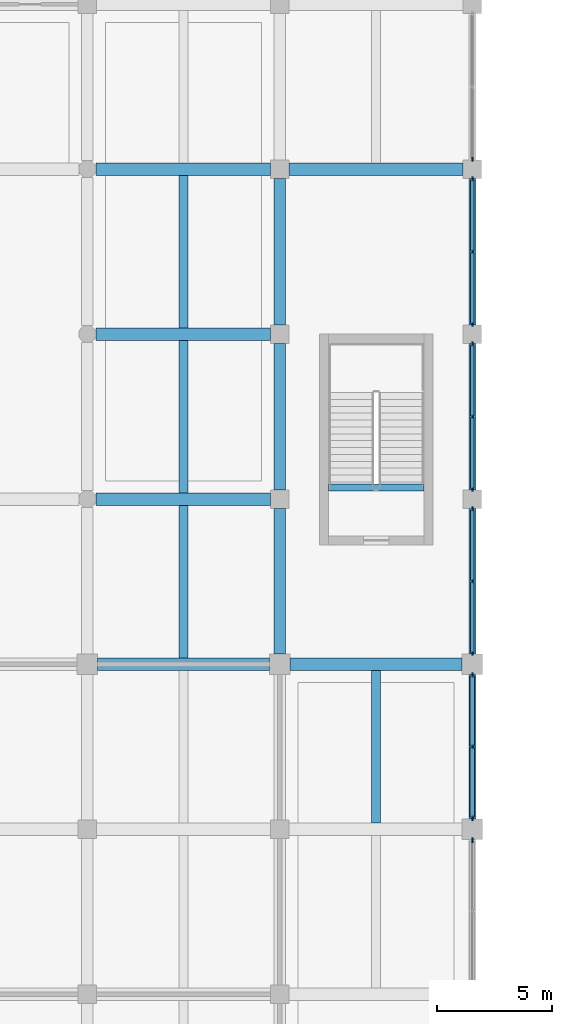
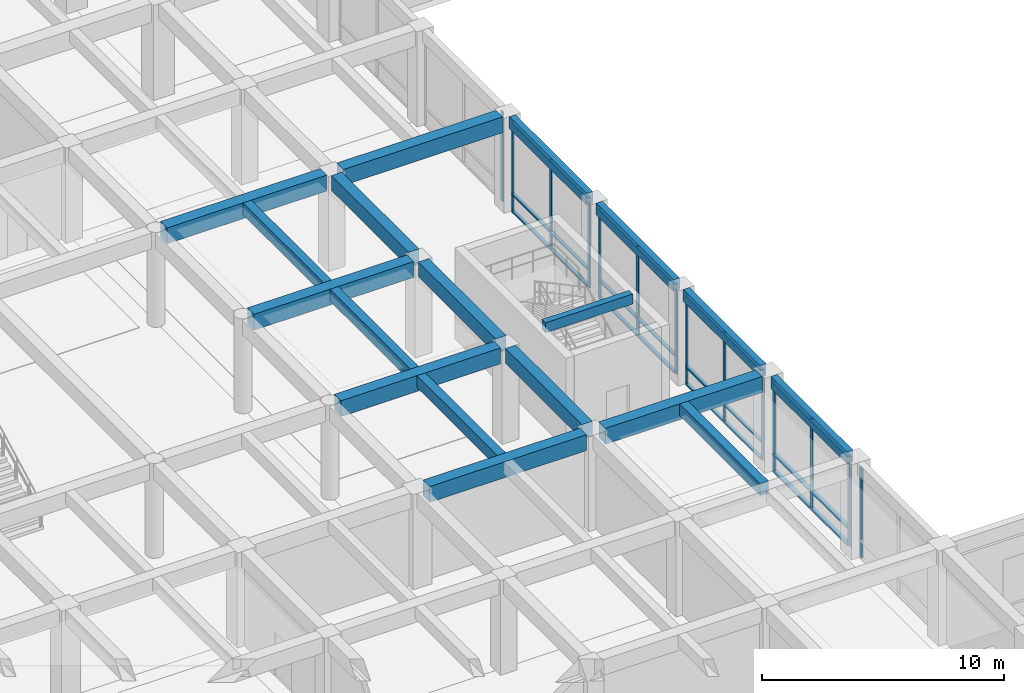
# One storey, part 11 of 49: 38 members, 18 beams, 6 elements without a shape of their own.
"""IFC4 building model written with IfcOpenShell, lengths in metres."""

from ifc_helpers import new_model, si_unit, direction, frame, origin, origin_2d, place, context, subcontext, project, spatial, rectangle, extrude, material, material_profile, profile_set, type_object, element, aggregate, save


model = new_model("IFC4")

# Units and contexts
model_context = context("Model", 3, precision=1e-05, world=origin(), true_north=direction((0.0, 1.0)))
body_context = subcontext(model_context, "Body", "Model", "MODEL_VIEW")
ifc_project = project(units=[si_unit("LENGTHUNIT", "METRE"), si_unit("AREAUNIT", "SQUARE_METRE"), si_unit("VOLUMEUNIT", "CUBIC_METRE"), si_unit("PLANEANGLEUNIT", "RADIAN"), si_unit("MASSUNIT", "GRAM", prefix="KILO")], contexts=[model_context])

# Site, building, storey
site_placement = place(None, origin())
site = spatial("IfcSite", under=ifc_project, at=site_placement, CompositionType="ELEMENT")
building_placement = place(site_placement, origin())
building = spatial("IfcBuilding", under=site, at=building_placement, Name="Kenerak Square Central Library", CompositionType="ELEMENT")
storey_placement = place(building_placement, origin())
storey = spatial("IfcBuildingStorey", under=building, at=storey_placement, Name="L00", CompositionType="ELEMENT", Elevation=0.0)

# Beams
ifc_material_1 = material(Name="Concrete C40/50", Category="concrete")
ifc_material_profile_1 = material_profile(ifc_material_1, rectangle(XDim=0.300048828125, YDim=0.60009765625, at=origin_2d()), Name="RC 300x600")
ifc_profile_set_1 = profile_set([ifc_material_profile_1], Name="Concrete C40/50")
beam_type_1 = type_object("IfcBeamType", Name="Courtyard Spandrel Beam SP-02 RC 300x600 C40/50", PredefinedType="SPANDREL", material=ifc_profile_set_1)
beam_1_placement = place(storey_placement, frame((117.199951171875, 46.050048828125, 4.5), z_axis=(0.0, 1.0, 0.0), x_axis=(-1.0, 0.0, 0.0)))
element("IfcBeam", 1, at=beam_1_placement, inside=storey, type_object=beam_type_1, Name="Beam SP-02 L00 0707", PredefinedType="SPANDREL", context=body_context, shape_type="SweptSolid", body=[
    extrude(rectangle(XDim=0.300048828125, YDim=0.60009765625, at=origin_2d()), origin(), (0.0, 0.0, 1.0), 6.300048828125),
])
beam_2_placement = place(storey_placement, frame((117.199951171875, 53.25, 4.5), z_axis=(0.0, 1.0, 0.0), x_axis=(-1.0, 0.0, 0.0)))
element("IfcBeam", 2, at=beam_2_placement, inside=storey, type_object=beam_type_1, Name="Beam SP-02 L00 0708", PredefinedType="SPANDREL", context=body_context, shape_type="SweptSolid", body=[
    extrude(rectangle(XDim=0.300048828125, YDim=0.60009765625, at=origin_2d()), origin(), (0.0, 0.0, 1.0), 6.35009765625),
])
beam_3_placement = place(storey_placement, frame((117.199951171875, 60.39990234375, 4.5), z_axis=(0.0, 1.0, 0.0), x_axis=(-1.0, 0.0, 0.0)))
element("IfcBeam", 3, at=beam_3_placement, inside=storey, type_object=beam_type_1, Name="Beam SP-02 L00 0709", PredefinedType="SPANDREL", context=body_context, shape_type="SweptSolid", body=[
    extrude(rectangle(XDim=0.300048828125, YDim=0.60009765625, at=origin_2d()), origin(), (0.0, 0.0, 1.0), 6.400146484375),
])
beam_4_placement = place(storey_placement, frame((117.199951171875, 67.60009765625, 4.5), z_axis=(0.0, 1.0, 0.0), x_axis=(-1.0, 0.0, 0.0)))
element("IfcBeam", 4, at=beam_4_placement, inside=storey, type_object=beam_type_1, Name="Beam SP-02 L00 0710", PredefinedType="SPANDREL", context=body_context, shape_type="SweptSolid", body=[
    extrude(rectangle(XDim=0.300048828125, YDim=0.60009765625, at=origin_2d()), origin(), (0.0, 0.0, 1.0), 6.39990234375),
])

# Curtain wall, member
ifc_material_2 = material(Name="Anodised aluminium and solar-control low-E glazing", Category="aluminium")
curtain_wall_type_1 = type_object("IfcCurtainWallType", Name="Curtain Wall CW-V4-64x45 6400x4525", PredefinedType="USERDEFINED", material=ifc_material_2)
curtain_wall_1_placement = place(storey_placement, origin())
curtain_wall_1 = element("IfcCurtainWall", 5, at=curtain_wall_1_placement, inside=storey, type_object=curtain_wall_type_1, Name="Curtain Wall CW-V4-64x45 L00 0008", ObjectType="CURTAIN WALL", PredefinedType="USERDEFINED")
ifc_material_3 = material(Name="Anodised aluminium 6063-T6", Category="aluminium")
ifc_material_profile_2 = material_profile(ifc_material_3, rectangle(XDim=0.06494140625, YDim=0.179931640625, at=origin_2d()), Name="AL MULLION 65x180")
ifc_profile_set_2 = profile_set([ifc_material_profile_2], Name="Anodised aluminium 6063-T6")
member_type_1 = type_object("IfcMemberType", Name="Curtain Mullion CM-01 65x180", PredefinedType="MULLION", material=ifc_profile_set_2)
member_1_placement = place(storey_placement, frame((117.199951171875, 74.83251953125, 0.0), z_axis=(0.0, 0.0, 1.0), x_axis=(1.0, 0.0, 0.0)))
member_1 = element("IfcMember", 6, at=member_1_placement, type_object=member_type_1, Name="CW-V4-64x45 Mullion 3", PredefinedType="MULLION", context=body_context, shape_type="SweptSolid", body=[
    extrude(rectangle(XDim=0.06494140625, YDim=0.179931640625, at=origin_2d()), origin(), (0.0, 0.0, 1.0), 4.52490234375),
])
aggregate(curtain_wall_1, [member_1])

# Curtain wall, members
curtain_wall_2_placement = place(storey_placement, origin())
curtain_wall_2 = element("IfcCurtainWall", 7, at=curtain_wall_2_placement, inside=storey, type_object=curtain_wall_type_1, Name="Curtain Wall CW-V4-64x45 L00 0009", ObjectType="CURTAIN WALL", PredefinedType="USERDEFINED")
member_2_placement = place(storey_placement, frame((117.199951171875, 73.967529296875, 0.0), z_axis=(0.0, 0.0, 1.0), x_axis=(1.0, 0.0, 0.0)))
member_2 = element("IfcMember", 8, at=member_2_placement, type_object=member_type_1, Name="CW-V4-64x45 Mullion 1", PredefinedType="MULLION", context=body_context, shape_type="SweptSolid", body=[
    extrude(rectangle(XDim=0.06494140625, YDim=0.179931640625, at=origin_2d()), origin(), (0.0, 0.0, 1.0), 4.52490234375),
])
member_3_placement = place(storey_placement, frame((117.199951171875, 70.800048828125, 0.0), z_axis=(0.0, 0.0, 1.0), x_axis=(1.0, 0.0, 0.0)))
member_3 = element("IfcMember", 9, at=member_3_placement, type_object=member_type_1, Name="CW-V4-64x45 Mullion 2", PredefinedType="MULLION", context=body_context, shape_type="SweptSolid", body=[
    extrude(rectangle(XDim=0.06494140625, YDim=0.179931640625, at=origin_2d()), origin(), (0.0, 0.0, 1.0), 4.52490234375),
])
member_4_placement = place(storey_placement, frame((117.199951171875, 67.632568359375, 0.0), z_axis=(0.0, 0.0, 1.0), x_axis=(1.0, 0.0, 0.0)))
member_4 = element("IfcMember", 10, at=member_4_placement, type_object=member_type_1, Name="CW-V4-64x45 Mullion 3", PredefinedType="MULLION", context=body_context, shape_type="SweptSolid", body=[
    extrude(rectangle(XDim=0.06494140625, YDim=0.179931640625, at=origin_2d()), origin(), (0.0, 0.0, 1.0), 4.52490234375),
])

curtain_wall_3_placement = place(storey_placement, origin())
curtain_wall_3 = element("IfcCurtainWall", 11, at=curtain_wall_3_placement, inside=storey, type_object=curtain_wall_type_1, Name="Curtain Wall CW-V4-64x45 L00 0010", ObjectType="CURTAIN WALL", PredefinedType="USERDEFINED")
member_5_placement = place(storey_placement, frame((117.199951171875, 66.767578125, 0.0), z_axis=(0.0, 0.0, 1.0), x_axis=(1.0, 0.0, 0.0)))
member_5 = element("IfcMember", 12, at=member_5_placement, type_object=member_type_1, Name="CW-V4-64x45 Mullion 1", PredefinedType="MULLION", context=body_context, shape_type="SweptSolid", body=[
    extrude(rectangle(XDim=0.06494140625, YDim=0.179931640625, at=origin_2d()), origin(), (0.0, 0.0, 1.0), 4.52490234375),
])
member_6_placement = place(storey_placement, frame((117.199951171875, 63.60009765625, 0.0), z_axis=(0.0, 0.0, 1.0), x_axis=(1.0, 0.0, 0.0)))
member_6 = element("IfcMember", 13, at=member_6_placement, type_object=member_type_1, Name="CW-V4-64x45 Mullion 2", PredefinedType="MULLION", context=body_context, shape_type="SweptSolid", body=[
    extrude(rectangle(XDim=0.06494140625, YDim=0.179931640625, at=origin_2d()), origin(), (0.0, 0.0, 1.0), 4.52490234375),
])
member_7_placement = place(storey_placement, frame((117.199951171875, 60.4326171875, 0.0), z_axis=(0.0, 0.0, 1.0), x_axis=(1.0, 0.0, 0.0)))
member_7 = element("IfcMember", 14, at=member_7_placement, type_object=member_type_1, Name="CW-V4-64x45 Mullion 3", PredefinedType="MULLION", context=body_context, shape_type="SweptSolid", body=[
    extrude(rectangle(XDim=0.06494140625, YDim=0.179931640625, at=origin_2d()), origin(), (0.0, 0.0, 1.0), 4.52490234375),
])

curtain_wall_type_2 = type_object("IfcCurtainWallType", Name="Curtain Wall CW-V4-63x45 6350x4525", PredefinedType="USERDEFINED", material=ifc_material_2)
curtain_wall_4_placement = place(storey_placement, origin())
curtain_wall_4 = element("IfcCurtainWall", 15, at=curtain_wall_4_placement, inside=storey, type_object=curtain_wall_type_2, Name="Curtain Wall CW-V4-63x45 L00 0011", ObjectType="CURTAIN WALL", PredefinedType="USERDEFINED")
member_8_placement = place(storey_placement, frame((117.199951171875, 59.5673828125, 0.0), z_axis=(0.0, 0.0, 1.0), x_axis=(1.0, 0.0, 0.0)))
member_8 = element("IfcMember", 16, at=member_8_placement, type_object=member_type_1, Name="CW-V4-63x45 Mullion 1", PredefinedType="MULLION", context=body_context, shape_type="SweptSolid", body=[
    extrude(rectangle(XDim=0.06494140625, YDim=0.179931640625, at=origin_2d()), origin(), (0.0, 0.0, 1.0), 4.52490234375),
])
member_9_placement = place(storey_placement, frame((117.199951171875, 56.425048828125, 0.0), z_axis=(0.0, 0.0, 1.0), x_axis=(1.0, 0.0, 0.0)))
member_9 = element("IfcMember", 17, at=member_9_placement, type_object=member_type_1, Name="CW-V4-63x45 Mullion 2", PredefinedType="MULLION", context=body_context, shape_type="SweptSolid", body=[
    extrude(rectangle(XDim=0.06494140625, YDim=0.179931640625, at=origin_2d()), origin(), (0.0, 0.0, 1.0), 4.52490234375),
])
member_10_placement = place(storey_placement, frame((117.199951171875, 53.282470703125, 0.0), z_axis=(0.0, 0.0, 1.0), x_axis=(1.0, 0.0, 0.0)))
member_10 = element("IfcMember", 18, at=member_10_placement, type_object=member_type_1, Name="CW-V4-63x45 Mullion 3", PredefinedType="MULLION", context=body_context, shape_type="SweptSolid", body=[
    extrude(rectangle(XDim=0.06494140625, YDim=0.179931640625, at=origin_2d()), origin(), (0.0, 0.0, 1.0), 4.52490234375),
])

curtain_wall_type_3 = type_object("IfcCurtainWallType", Name="Curtain Wall CW-V1-63x45 6300x4525", PredefinedType="USERDEFINED", material=ifc_material_2)
curtain_wall_5_placement = place(storey_placement, origin())
curtain_wall_5 = element("IfcCurtainWall", 19, at=curtain_wall_5_placement, inside=storey, type_object=curtain_wall_type_3, Name="Curtain Wall CW-V1-63x45 L00 0012", ObjectType="CURTAIN WALL", PredefinedType="USERDEFINED")
ifc_material_profile_3 = material_profile(ifc_material_3, rectangle(XDim=0.074951171875, YDim=0.219970703125, at=origin_2d()), Name="AL MULLION 75x220")
ifc_profile_set_3 = profile_set([ifc_material_profile_3], Name="Anodised aluminium 6063-T6")
member_type_2 = type_object("IfcMemberType", Name="Curtain Mullion CM-02 75x220", PredefinedType="MULLION", material=ifc_profile_set_3)
member_11_placement = place(storey_placement, frame((117.199951171875, 52.3125, 0.0), z_axis=(0.0, 0.0, 1.0), x_axis=(1.0, 0.0, 0.0)))
member_11 = element("IfcMember", 20, at=member_11_placement, type_object=member_type_2, Name="CW-V1-63x45 Mullion 1", PredefinedType="MULLION", context=body_context, shape_type="SweptSolid", body=[
    extrude(rectangle(XDim=0.074951171875, YDim=0.219970703125, at=origin_2d()), origin(), (0.0, 0.0, 1.0), 4.52490234375),
])
member_12_placement = place(storey_placement, frame((117.199951171875, 49.199951171875, 0.0), z_axis=(0.0, 0.0, 1.0), x_axis=(1.0, 0.0, 0.0)))
member_12 = element("IfcMember", 21, at=member_12_placement, type_object=member_type_2, Name="CW-V1-63x45 Mullion 2", PredefinedType="MULLION", context=body_context, shape_type="SweptSolid", body=[
    extrude(rectangle(XDim=0.074951171875, YDim=0.219970703125, at=origin_2d()), origin(), (0.0, 0.0, 1.0), 4.52490234375),
])
member_13_placement = place(storey_placement, frame((117.199951171875, 46.08740234375, 0.0), z_axis=(0.0, 0.0, 1.0), x_axis=(1.0, 0.0, 0.0)))
member_13 = element("IfcMember", 22, at=member_13_placement, type_object=member_type_2, Name="CW-V1-63x45 Mullion 3", PredefinedType="MULLION", context=body_context, shape_type="SweptSolid", body=[
    extrude(rectangle(XDim=0.074951171875, YDim=0.219970703125, at=origin_2d()), origin(), (0.0, 0.0, 1.0), 4.52490234375),
])

# Curtain wall, member
curtain_wall_6_placement = place(storey_placement, origin())
curtain_wall_6 = element("IfcCurtainWall", 23, at=curtain_wall_6_placement, inside=storey, type_object=curtain_wall_type_3, Name="Curtain Wall CW-V1-63x45 L00 0013", ObjectType="CURTAIN WALL", PredefinedType="USERDEFINED")
member_14_placement = place(storey_placement, frame((117.199951171875, 45.112548828125, 0.0), z_axis=(0.0, 0.0, 1.0), x_axis=(1.0, 0.0, 0.0)))
member_14 = element("IfcMember", 24, at=member_14_placement, type_object=member_type_2, Name="CW-V1-63x45 Mullion 1", PredefinedType="MULLION", context=body_context, shape_type="SweptSolid", body=[
    extrude(rectangle(XDim=0.074951171875, YDim=0.219970703125, at=origin_2d()), origin(), (0.0, 0.0, 1.0), 4.52490234375),
])
aggregate(curtain_wall_6, [member_14])

# Member
ifc_material_profile_4 = material_profile(ifc_material_3, rectangle(XDim=0.159912109375, YDim=0.06494140625, at=origin_2d()), Name="AL TRANSOM 160x65")
ifc_profile_set_4 = profile_set([ifc_material_profile_4], Name="Anodised aluminium 6063-T6")
member_type_3 = type_object("IfcMemberType", Name="Curtain Transom CT-11 160x65", PredefinedType="USERDEFINED", material=ifc_profile_set_4)
member_15_placement = place(storey_placement, frame((117.199951171875, 73.93505859375, 0.032470703125), z_axis=(0.0, -1.0, 0.0), x_axis=(1.0, 0.0, 0.0)))
member_15 = element("IfcMember", 25, at=member_15_placement, type_object=member_type_3, Name="CW-V4-64x45 Transom 1.1", ObjectType="TRANSOM", PredefinedType="USERDEFINED", context=body_context, shape_type="SweptSolid", body=[
    extrude(rectangle(XDim=0.159912109375, YDim=0.06494140625, at=origin_2d()), origin(), (0.0, 0.0, 1.0), 3.1025390625),
])

member_16_placement = place(storey_placement, frame((117.199951171875, 73.93505859375, 0.89990234375), z_axis=(0.0, -1.0, 0.0), x_axis=(1.0, 0.0, 0.0)))
member_16 = element("IfcMember", 26, at=member_16_placement, type_object=member_type_3, Name="CW-V4-64x45 Transom 1.2", ObjectType="TRANSOM", PredefinedType="USERDEFINED", context=body_context, shape_type="SweptSolid", body=[
    extrude(rectangle(XDim=0.159912109375, YDim=0.06494140625, at=origin_2d()), origin(), (0.0, 0.0, 1.0), 3.1025390625),
])

member_17_placement = place(storey_placement, frame((117.199951171875, 73.93505859375, 4.492431640625), z_axis=(0.0, -1.0, 0.0), x_axis=(1.0, 0.0, 0.0)))
member_17 = element("IfcMember", 27, at=member_17_placement, type_object=member_type_3, Name="CW-V4-64x45 Transom 1.3", ObjectType="TRANSOM", PredefinedType="USERDEFINED", context=body_context, shape_type="SweptSolid", body=[
    extrude(rectangle(XDim=0.159912109375, YDim=0.06494140625, at=origin_2d()), origin(), (0.0, 0.0, 1.0), 3.1025390625),
])

member_18_placement = place(storey_placement, frame((117.199951171875, 70.767578125, 0.032470703125), z_axis=(0.0, -1.0, 0.0), x_axis=(1.0, 0.0, 0.0)))
member_18 = element("IfcMember", 28, at=member_18_placement, type_object=member_type_3, Name="CW-V4-64x45 Transom 2.1", ObjectType="TRANSOM", PredefinedType="USERDEFINED", context=body_context, shape_type="SweptSolid", body=[
    extrude(rectangle(XDim=0.159912109375, YDim=0.06494140625, at=origin_2d()), origin(), (0.0, 0.0, 1.0), 3.1025390625),
])

member_19_placement = place(storey_placement, frame((117.199951171875, 70.767578125, 0.89990234375), z_axis=(0.0, -1.0, 0.0), x_axis=(1.0, 0.0, 0.0)))
member_19 = element("IfcMember", 29, at=member_19_placement, type_object=member_type_3, Name="CW-V4-64x45 Transom 2.2", ObjectType="TRANSOM", PredefinedType="USERDEFINED", context=body_context, shape_type="SweptSolid", body=[
    extrude(rectangle(XDim=0.159912109375, YDim=0.06494140625, at=origin_2d()), origin(), (0.0, 0.0, 1.0), 3.1025390625),
])

member_20_placement = place(storey_placement, frame((117.199951171875, 70.767578125, 4.492431640625), z_axis=(0.0, -1.0, 0.0), x_axis=(1.0, 0.0, 0.0)))
member_20 = element("IfcMember", 30, at=member_20_placement, type_object=member_type_3, Name="CW-V4-64x45 Transom 2.3", ObjectType="TRANSOM", PredefinedType="USERDEFINED", context=body_context, shape_type="SweptSolid", body=[
    extrude(rectangle(XDim=0.159912109375, YDim=0.06494140625, at=origin_2d()), origin(), (0.0, 0.0, 1.0), 3.1025390625),
])

aggregate(curtain_wall_2, [member_2, member_3, member_4, member_15, member_16, member_17, member_18, member_19, member_20])

member_21_placement = place(storey_placement, frame((117.199951171875, 66.735107421875, 0.032470703125), z_axis=(0.0, -1.0, 0.0), x_axis=(1.0, 0.0, 0.0)))
member_21 = element("IfcMember", 31, at=member_21_placement, type_object=member_type_3, Name="CW-V4-64x45 Transom 1.1", ObjectType="TRANSOM", PredefinedType="USERDEFINED", context=body_context, shape_type="SweptSolid", body=[
    extrude(rectangle(XDim=0.159912109375, YDim=0.06494140625, at=origin_2d()), origin(), (0.0, 0.0, 1.0), 3.1025390625),
])

member_22_placement = place(storey_placement, frame((117.199951171875, 66.735107421875, 0.89990234375), z_axis=(0.0, -1.0, 0.0), x_axis=(1.0, 0.0, 0.0)))
member_22 = element("IfcMember", 32, at=member_22_placement, type_object=member_type_3, Name="CW-V4-64x45 Transom 1.2", ObjectType="TRANSOM", PredefinedType="USERDEFINED", context=body_context, shape_type="SweptSolid", body=[
    extrude(rectangle(XDim=0.159912109375, YDim=0.06494140625, at=origin_2d()), origin(), (0.0, 0.0, 1.0), 3.1025390625),
])

member_23_placement = place(storey_placement, frame((117.199951171875, 66.735107421875, 4.492431640625), z_axis=(0.0, -1.0, 0.0), x_axis=(1.0, 0.0, 0.0)))
member_23 = element("IfcMember", 33, at=member_23_placement, type_object=member_type_3, Name="CW-V4-64x45 Transom 1.3", ObjectType="TRANSOM", PredefinedType="USERDEFINED", context=body_context, shape_type="SweptSolid", body=[
    extrude(rectangle(XDim=0.159912109375, YDim=0.06494140625, at=origin_2d()), origin(), (0.0, 0.0, 1.0), 3.1025390625),
])

member_24_placement = place(storey_placement, frame((117.199951171875, 63.5673828125, 0.032470703125), z_axis=(0.0, -1.0, 0.0), x_axis=(1.0, 0.0, 0.0)))
member_24 = element("IfcMember", 34, at=member_24_placement, type_object=member_type_3, Name="CW-V4-64x45 Transom 2.1", ObjectType="TRANSOM", PredefinedType="USERDEFINED", context=body_context, shape_type="SweptSolid", body=[
    extrude(rectangle(XDim=0.159912109375, YDim=0.06494140625, at=origin_2d()), origin(), (0.0, 0.0, 1.0), 3.102294921875),
])

member_25_placement = place(storey_placement, frame((117.199951171875, 63.5673828125, 0.89990234375), z_axis=(0.0, -1.0, 0.0), x_axis=(1.0, 0.0, 0.0)))
member_25 = element("IfcMember", 35, at=member_25_placement, type_object=member_type_3, Name="CW-V4-64x45 Transom 2.2", ObjectType="TRANSOM", PredefinedType="USERDEFINED", context=body_context, shape_type="SweptSolid", body=[
    extrude(rectangle(XDim=0.159912109375, YDim=0.06494140625, at=origin_2d()), origin(), (0.0, 0.0, 1.0), 3.102294921875),
])

member_26_placement = place(storey_placement, frame((117.199951171875, 63.5673828125, 4.492431640625), z_axis=(0.0, -1.0, 0.0), x_axis=(1.0, 0.0, 0.0)))
member_26 = element("IfcMember", 36, at=member_26_placement, type_object=member_type_3, Name="CW-V4-64x45 Transom 2.3", ObjectType="TRANSOM", PredefinedType="USERDEFINED", context=body_context, shape_type="SweptSolid", body=[
    extrude(rectangle(XDim=0.159912109375, YDim=0.06494140625, at=origin_2d()), origin(), (0.0, 0.0, 1.0), 3.102294921875),
])

aggregate(curtain_wall_3, [member_5, member_6, member_7, member_21, member_22, member_23, member_24, member_25, member_26])

member_27_placement = place(storey_placement, frame((117.199951171875, 59.534912109375, 0.032470703125), z_axis=(0.0, -1.0, 0.0), x_axis=(1.0, 0.0, 0.0)))
member_27 = element("IfcMember", 37, at=member_27_placement, type_object=member_type_3, Name="CW-V4-63x45 Transom 1.1", ObjectType="TRANSOM", PredefinedType="USERDEFINED", context=body_context, shape_type="SweptSolid", body=[
    extrude(rectangle(XDim=0.159912109375, YDim=0.06494140625, at=origin_2d()), origin(), (0.0, 0.0, 1.0), 3.077392578125),
])

member_28_placement = place(storey_placement, frame((117.199951171875, 59.534912109375, 0.89990234375), z_axis=(0.0, -1.0, 0.0), x_axis=(1.0, 0.0, 0.0)))
member_28 = element("IfcMember", 38, at=member_28_placement, type_object=member_type_3, Name="CW-V4-63x45 Transom 1.2", ObjectType="TRANSOM", PredefinedType="USERDEFINED", context=body_context, shape_type="SweptSolid", body=[
    extrude(rectangle(XDim=0.159912109375, YDim=0.06494140625, at=origin_2d()), origin(), (0.0, 0.0, 1.0), 3.077392578125),
])

member_29_placement = place(storey_placement, frame((117.199951171875, 59.534912109375, 4.492431640625), z_axis=(0.0, -1.0, 0.0), x_axis=(1.0, 0.0, 0.0)))
member_29 = element("IfcMember", 39, at=member_29_placement, type_object=member_type_3, Name="CW-V4-63x45 Transom 1.3", ObjectType="TRANSOM", PredefinedType="USERDEFINED", context=body_context, shape_type="SweptSolid", body=[
    extrude(rectangle(XDim=0.159912109375, YDim=0.06494140625, at=origin_2d()), origin(), (0.0, 0.0, 1.0), 3.077392578125),
])

member_30_placement = place(storey_placement, frame((117.199951171875, 56.392578125, 0.032470703125), z_axis=(0.0, -1.0, 0.0), x_axis=(1.0, 0.0, 0.0)))
member_30 = element("IfcMember", 40, at=member_30_placement, type_object=member_type_3, Name="CW-V4-63x45 Transom 2.1", ObjectType="TRANSOM", PredefinedType="USERDEFINED", context=body_context, shape_type="SweptSolid", body=[
    extrude(rectangle(XDim=0.159912109375, YDim=0.06494140625, at=origin_2d()), origin(), (0.0, 0.0, 1.0), 3.07763671875),
])

member_31_placement = place(storey_placement, frame((117.199951171875, 56.392578125, 0.89990234375), z_axis=(0.0, -1.0, 0.0), x_axis=(1.0, 0.0, 0.0)))
member_31 = element("IfcMember", 41, at=member_31_placement, type_object=member_type_3, Name="CW-V4-63x45 Transom 2.2", ObjectType="TRANSOM", PredefinedType="USERDEFINED", context=body_context, shape_type="SweptSolid", body=[
    extrude(rectangle(XDim=0.159912109375, YDim=0.06494140625, at=origin_2d()), origin(), (0.0, 0.0, 1.0), 3.07763671875),
])

member_32_placement = place(storey_placement, frame((117.199951171875, 56.392578125, 4.492431640625), z_axis=(0.0, -1.0, 0.0), x_axis=(1.0, 0.0, 0.0)))
member_32 = element("IfcMember", 42, at=member_32_placement, type_object=member_type_3, Name="CW-V4-63x45 Transom 2.3", ObjectType="TRANSOM", PredefinedType="USERDEFINED", context=body_context, shape_type="SweptSolid", body=[
    extrude(rectangle(XDim=0.159912109375, YDim=0.06494140625, at=origin_2d()), origin(), (0.0, 0.0, 1.0), 3.07763671875),
])

aggregate(curtain_wall_4, [member_8, member_9, member_10, member_27, member_28, member_29, member_30, member_31, member_32])

ifc_material_profile_5 = material_profile(ifc_material_3, rectangle(XDim=0.199951171875, YDim=0.074951171875, at=origin_2d()), Name="AL TRANSOM 200x75")
ifc_profile_set_5 = profile_set([ifc_material_profile_5], Name="Anodised aluminium 6063-T6")
member_type_4 = type_object("IfcMemberType", Name="Curtain Transom CT-12 200x75", PredefinedType="USERDEFINED", material=ifc_profile_set_5)
member_33_placement = place(storey_placement, frame((117.199951171875, 52.27490234375, 0.03759765625), z_axis=(0.0, -1.0, 0.0), x_axis=(1.0, 0.0, 0.0)))
member_33 = element("IfcMember", 43, at=member_33_placement, type_object=member_type_4, Name="CW-V1-63x45 Transom 1.1", ObjectType="TRANSOM", PredefinedType="USERDEFINED", context=body_context, shape_type="SweptSolid", body=[
    extrude(rectangle(XDim=0.199951171875, YDim=0.074951171875, at=origin_2d()), origin(), (0.0, 0.0, 1.0), 3.037353515625),
])

member_34_placement = place(storey_placement, frame((117.199951171875, 52.27490234375, 0.89990234375), z_axis=(0.0, -1.0, 0.0), x_axis=(1.0, 0.0, 0.0)))
member_34 = element("IfcMember", 44, at=member_34_placement, type_object=member_type_4, Name="CW-V1-63x45 Transom 1.2", ObjectType="TRANSOM", PredefinedType="USERDEFINED", context=body_context, shape_type="SweptSolid", body=[
    extrude(rectangle(XDim=0.199951171875, YDim=0.074951171875, at=origin_2d()), origin(), (0.0, 0.0, 1.0), 3.037353515625),
])

member_35_placement = place(storey_placement, frame((117.199951171875, 52.27490234375, 4.487548828125), z_axis=(0.0, -1.0, 0.0), x_axis=(1.0, 0.0, 0.0)))
member_35 = element("IfcMember", 45, at=member_35_placement, type_object=member_type_4, Name="CW-V1-63x45 Transom 1.3", ObjectType="TRANSOM", PredefinedType="USERDEFINED", context=body_context, shape_type="SweptSolid", body=[
    extrude(rectangle(XDim=0.199951171875, YDim=0.074951171875, at=origin_2d()), origin(), (0.0, 0.0, 1.0), 3.037353515625),
])

member_36_placement = place(storey_placement, frame((117.199951171875, 49.16259765625, 0.03759765625), z_axis=(0.0, -1.0, 0.0), x_axis=(1.0, 0.0, 0.0)))
member_36 = element("IfcMember", 46, at=member_36_placement, type_object=member_type_4, Name="CW-V1-63x45 Transom 2.1", ObjectType="TRANSOM", PredefinedType="USERDEFINED", context=body_context, shape_type="SweptSolid", body=[
    extrude(rectangle(XDim=0.199951171875, YDim=0.074951171875, at=origin_2d()), origin(), (0.0, 0.0, 1.0), 3.03759765625),
])

member_37_placement = place(storey_placement, frame((117.199951171875, 49.16259765625, 0.89990234375), z_axis=(0.0, -1.0, 0.0), x_axis=(1.0, 0.0, 0.0)))
member_37 = element("IfcMember", 47, at=member_37_placement, type_object=member_type_4, Name="CW-V1-63x45 Transom 2.2", ObjectType="TRANSOM", PredefinedType="USERDEFINED", context=body_context, shape_type="SweptSolid", body=[
    extrude(rectangle(XDim=0.199951171875, YDim=0.074951171875, at=origin_2d()), origin(), (0.0, 0.0, 1.0), 3.03759765625),
])

member_38_placement = place(storey_placement, frame((117.199951171875, 49.16259765625, 4.487548828125), z_axis=(0.0, -1.0, 0.0), x_axis=(1.0, 0.0, 0.0)))
member_38 = element("IfcMember", 48, at=member_38_placement, type_object=member_type_4, Name="CW-V1-63x45 Transom 2.3", ObjectType="TRANSOM", PredefinedType="USERDEFINED", context=body_context, shape_type="SweptSolid", body=[
    extrude(rectangle(XDim=0.199951171875, YDim=0.074951171875, at=origin_2d()), origin(), (0.0, 0.0, 1.0), 3.03759765625),
])

aggregate(curtain_wall_5, [member_11, member_12, member_13, member_33, member_34, member_35, member_36, member_37, member_38])

# Beams
ifc_material_profile_6 = material_profile(ifc_material_1, rectangle(XDim=0.300048828125, YDim=0.5, at=origin_2d()), Name="RC 300x500")
ifc_profile_set_6 = profile_set([ifc_material_profile_6], Name="Concrete C40/50")
beam_type_2 = type_object("IfcBeamType", Name="Landing Support Beam B-08 RC 300x500 C40/50", PredefinedType="BEAM", material=ifc_profile_set_6)
beam_5_placement = place(storey_placement, frame((110.919921875, 60.510009765625, 4.550048828125), z_axis=(1.0, 0.0, 0.0), x_axis=(0.0, 1.0, 0.0)))
element("IfcBeam", 49, at=beam_5_placement, inside=storey, type_object=beam_type_2, Name="Stair Threshold Beam B-08 ST-09 L01", PredefinedType="BEAM", context=body_context, shape_type="SweptSolid", body=[
    extrude(rectangle(XDim=0.300048828125, YDim=0.5, at=origin_2d()), origin(), (0.0, 0.0, 1.0), 4.16015625),
])
ifc_material_profile_7 = material_profile(ifc_material_1, rectangle(XDim=0.550048828125, YDim=0.800048828125, at=origin_2d()), Name="RC 550x800")
ifc_profile_set_7 = profile_set([ifc_material_profile_7], Name="Concrete C40/50")
beam_type_3 = type_object("IfcBeamType", Name="Primary Reading Beam B-04 RC 550x800 C40/50", PredefinedType="BEAM", material=ifc_profile_set_7)
for number, where, z_axis, x_axis, name in (
    (50, (100.85009765625, 52.800048828125, 4.39990234375), (1.0, 0.0, 0.0), (0.0, 1.0, 0.0), "Beam B-04 L00 0521"),
    (51, (109.25, 52.800048828125, 4.39990234375), (1.0, 0.0, 0.0), (0.0, 1.0, 0.0), "Beam B-04 L00 0522"),
):
    element("IfcBeam", number, at=place(storey_placement, frame(where, z_axis=z_axis, x_axis=x_axis)), inside=storey, type_object=beam_type_3, Name=name, PredefinedType="BEAM", context=body_context, shape_type="SweptSolid", body=[
        extrude(rectangle(XDim=0.550048828125, YDim=0.800048828125, at=origin_2d()), origin(), (0.0, 0.0, 1.0), 7.5),
    ])
for number, where, z_axis, x_axis, name in (
    (52, (100.77490234375, 60.0, 4.39990234375), (1.0, 0.0, 0.0), (0.0, 1.0, 0.0), "Beam B-04 L00 0529"),
    (53, (100.77490234375, 67.199951171875, 4.39990234375), (1.0, 0.0, 0.0), (0.0, 1.0, 0.0), "Beam B-04 L00 0533"),
    (54, (100.77490234375, 74.39990234375, 4.39990234375), (1.0, 0.0, 0.0), (0.0, 1.0, 0.0), "Beam B-04 L00 0544"),
):
    element("IfcBeam", number, at=place(storey_placement, frame(where, z_axis=z_axis, x_axis=x_axis)), inside=storey, type_object=beam_type_3, Name=name, PredefinedType="BEAM", context=body_context, shape_type="SweptSolid", body=[
        extrude(rectangle(XDim=0.550048828125, YDim=0.800048828125, at=origin_2d()), origin(), (0.0, 0.0, 1.0), 7.625),
    ])
beam_6_placement = place(storey_placement, frame((109.199951171875, 74.39990234375, 4.39990234375), z_axis=(1.0, 0.0, 0.0), x_axis=(0.0, 1.0, 0.0)))
element("IfcBeam", 55, at=beam_6_placement, inside=storey, type_object=beam_type_3, Name="Beam B-04 L00 0545", PredefinedType="BEAM", context=body_context, shape_type="SweptSolid", body=[
    extrude(rectangle(XDim=0.550048828125, YDim=0.800048828125, at=origin_2d()), origin(), (0.0, 0.0, 1.0), 7.60009765625),
])
ifc_material_profile_8 = material_profile(ifc_material_1, rectangle(XDim=0.39990234375, YDim=0.60009765625, at=origin_2d()), Name="RC 400x600")
ifc_profile_set_8 = profile_set([ifc_material_profile_8], Name="Concrete C40/50")
beam_type_4 = type_object("IfcBeamType", Name="Secondary Floor Joist J-01 RC 400x600 C40/50", PredefinedType="JOIST", material=ifc_profile_set_8)
for number, where, z_axis, x_axis, name in (
    (56, (104.60009765625, 53.074951171875, 4.5), (0.0, 1.0, 0.0), (-1.0, 0.0, 0.0), "Joist J-01 L00 0814"),
    (57, (104.60009765625, 60.27490234375, 4.5), (0.0, 1.0, 0.0), (-1.0, 0.0, 0.0), "Joist J-01 L00 0815"),
):
    element("IfcBeam", number, at=place(storey_placement, frame(where, z_axis=z_axis, x_axis=x_axis)), inside=storey, type_object=beam_type_4, Name=name, PredefinedType="JOIST", context=body_context, shape_type="SweptSolid", body=[
        extrude(rectangle(XDim=0.39990234375, YDim=0.60009765625, at=origin_2d()), origin(), (0.0, 0.0, 1.0), 6.650146484375),
    ])
for number, where, z_axis, x_axis, name in (
    (58, (104.60009765625, 67.47509765625, 4.5), (0.0, 1.0, 0.0), (-1.0, 0.0, 0.0), "Joist J-01 L00 0816"),
    (59, (113.0, 45.875, 4.5), (0.0, 1.0, 0.0), (-1.0, 0.0, 0.0), "Joist J-01 L00 0824"),
):
    element("IfcBeam", number, at=place(storey_placement, frame(where, z_axis=z_axis, x_axis=x_axis)), inside=storey, type_object=beam_type_4, Name=name, PredefinedType="JOIST", context=body_context, shape_type="SweptSolid", body=[
        extrude(rectangle(XDim=0.39990234375, YDim=0.60009765625, at=origin_2d()), origin(), (0.0, 0.0, 1.0), 6.64990234375),
    ])
ifc_material_profile_9 = material_profile(ifc_material_1, rectangle(XDim=0.5, YDim=0.75, at=origin_2d()), Name="RC 500x750")
ifc_profile_set_9 = profile_set([ifc_material_profile_9], Name="Concrete C40/50")
beam_type_5 = type_object("IfcBeamType", Name="Transverse Frame Beam B-05 RC 500x750 C40/50", PredefinedType="BEAM", material=ifc_profile_set_9)
beam_7_placement = place(storey_placement, frame((108.800048828125, 53.25, 4.425048828125), z_axis=(0.0, 1.0, 0.0), x_axis=(-1.0, 0.0, 0.0)))
element("IfcBeam", 60, at=beam_7_placement, inside=storey, type_object=beam_type_5, Name="Beam B-05 L00 0694", PredefinedType="BEAM", context=body_context, shape_type="SweptSolid", body=[
    extrude(rectangle(XDim=0.5, YDim=0.75, at=origin_2d()), origin(), (0.0, 0.0, 1.0), 6.35009765625),
])
beam_8_placement = place(storey_placement, frame((108.800048828125, 60.39990234375, 4.425048828125), z_axis=(0.0, 1.0, 0.0), x_axis=(-1.0, 0.0, 0.0)))
element("IfcBeam", 61, at=beam_8_placement, inside=storey, type_object=beam_type_5, Name="Beam B-05 L00 0695", PredefinedType="BEAM", context=body_context, shape_type="SweptSolid", body=[
    extrude(rectangle(XDim=0.5, YDim=0.75, at=origin_2d()), origin(), (0.0, 0.0, 1.0), 6.400146484375),
])
beam_9_placement = place(storey_placement, frame((108.800048828125, 67.60009765625, 4.425048828125), z_axis=(0.0, 1.0, 0.0), x_axis=(-1.0, 0.0, 0.0)))
element("IfcBeam", 62, at=beam_9_placement, inside=storey, type_object=beam_type_5, Name="Beam B-05 L00 0696", PredefinedType="BEAM", context=body_context, shape_type="SweptSolid", body=[
    extrude(rectangle(XDim=0.5, YDim=0.75, at=origin_2d()), origin(), (0.0, 0.0, 1.0), 6.39990234375),
])

save(model, "model.ifc")
